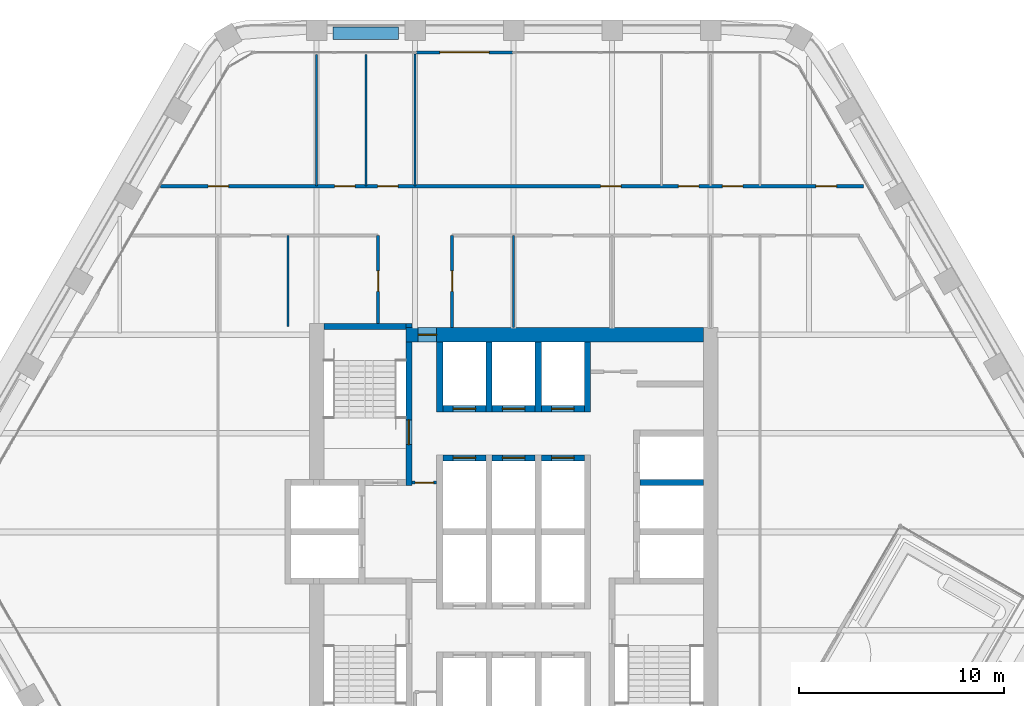
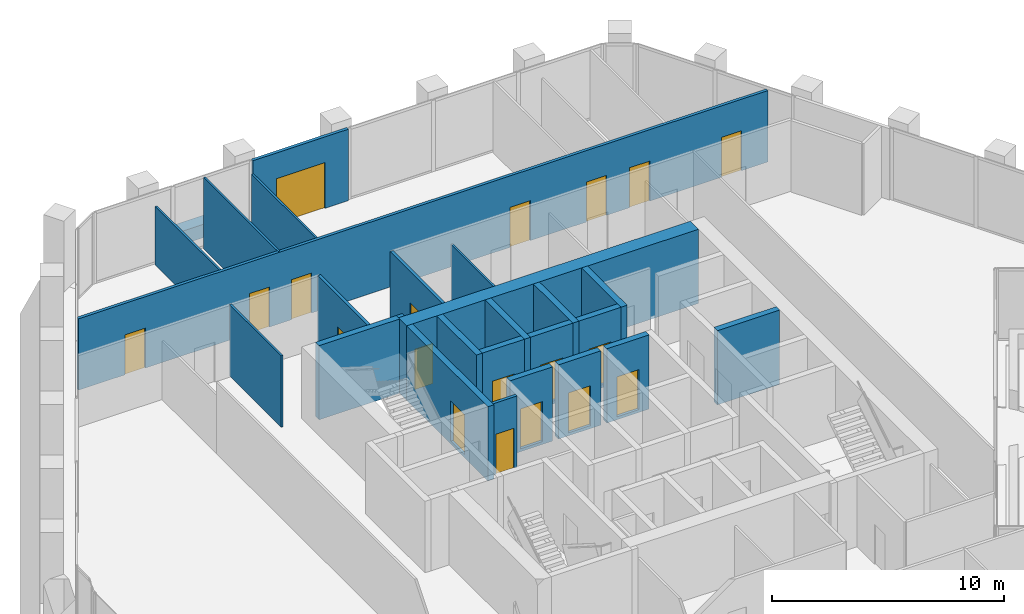
# One storey, part 13 of 17: 26 walls, 19 doors, 19 openings.
"""IFC4 building model written with IfcOpenShell, lengths in metres."""

import ifcopenshell
import ifcopenshell.guid

model = None  # the IFC model being written
_history = None  # IfcOwnerHistory: only IFC2X3 demands one
_inside = {}  # id of a spatial element -> (the spatial element, [elements in it])
_under = {}  # id of a project, library or spatial element -> (it, [spatial elements below it])
_declared = {}  # id of a project -> (the project, [libraries it declares])
_typed = {}  # id of a type object -> (the type object, [elements of that type])
_made_of = {}  # id of a material, layer set ... -> (it, [elements and type objects made of it])


def new_model(schema):
    """Start an empty IFC model of exactly this schema.

    Asked for "IFC4X3", IfcOpenShell would pick the latest addendum, in which some entities
    have other attributes; the version numbers below select the first issue.
    IFC2X3 requires an IfcOwnerHistory on every rooted entity: one is made here for all.
    """
    global model, _history
    if schema == "IFC4X3":
        model = ifcopenshell.file(schema_version=(4, 3, 0, 0))
    else:
        model = ifcopenshell.file(schema=schema)
    _inside.clear()
    _under.clear()
    _declared.clear()
    _typed.clear()
    _made_of.clear()
    _history = None
    if model.schema == "IFC2X3":
        org = make("IfcOrganization", Name="unknown")
        user = make(
            "IfcPersonAndOrganization",
            ThePerson=make("IfcPerson", FamilyName="unknown"),
            TheOrganization=org,
        )
        app = make(
            "IfcApplication",
            ApplicationDeveloper=org,
            Version="unknown",
            ApplicationFullName="unknown",
            ApplicationIdentifier="unknown",
        )
        _history = make(
            "IfcOwnerHistory",
            OwningUser=user,
            OwningApplication=app,
            ChangeAction="ADDED",
            CreationDate=0,
        )
    return model


def make(cls, **values):
    """One entity of the class cls with the attributes given. An attribute that is None is left unset."""
    return model.create_entity(
        cls, **{name: value for name, value in values.items() if value is not None}
    )


def rooted(cls, **values):
    """An entity with a GlobalId (a new one), such as an element, a storey or a relation."""
    return make(cls, GlobalId=ifcopenshell.guid.new(), OwnerHistory=_history, **values)


def si_unit(unit_type, name, prefix=None):
    """IfcSIUnit, for example si_unit("LENGTHUNIT", "METRE", prefix="MILLI")."""
    return make("IfcSIUnit", UnitType=unit_type, Prefix=prefix, Name=name)


def assignment(units):
    """IfcUnitAssignment: the units of a project."""
    return None if units is None else make("IfcUnitAssignment", Units=units)


def point(xyz):
    """IfcCartesianPoint."""
    return None if xyz is None else make("IfcCartesianPoint", Coordinates=xyz)


def direction(xyz):
    """IfcDirection."""
    return None if xyz is None else make("IfcDirection", DirectionRatios=xyz)


def frame(location, z_axis=None, x_axis=None):
    """IfcAxis2Placement3D, a coordinate frame: its origin and axes. An axis left out is left unset."""
    return make(
        "IfcAxis2Placement3D",
        Location=point(location),
        Axis=direction(z_axis),
        RefDirection=direction(x_axis),
    )


def frame_2d(location, x_axis=None):
    """IfcAxis2Placement2D, a coordinate frame in the plane: its origin and x axis."""
    return make(
        "IfcAxis2Placement2D", Location=point(location), RefDirection=direction(x_axis)
    )


def origin():
    """The frame at (0, 0, 0) with its axes left unset."""
    return frame((0.0, 0.0, 0.0))


def place(relative_to, where):
    """IfcLocalPlacement: puts the frame where relative to a parent placement (None: the world)."""
    return make(
        "IfcLocalPlacement", PlacementRelTo=relative_to, RelativePlacement=where
    )


def context(
    kind, dimensions, precision=None, world=None, true_north=None, identifier=None
):
    """IfcGeometricRepresentationContext, for example the 3D "Model" context."""
    return make(
        "IfcGeometricRepresentationContext",
        ContextIdentifier=identifier,
        ContextType=kind,
        CoordinateSpaceDimension=dimensions,
        Precision=precision,
        WorldCoordinateSystem=world,
        TrueNorth=true_north,
    )


def subcontext(parent, identifier, kind, view, scale=None):
    """IfcGeometricRepresentationSubContext, for example "Body" below "Model"."""
    return make(
        "IfcGeometricRepresentationSubContext",
        ContextIdentifier=identifier,
        ContextType=kind,
        ParentContext=parent,
        TargetScale=scale,
        TargetView=view,
    )


def project(units=None, contexts=None):
    """IfcProject with its units and contexts."""
    return rooted(
        "IfcProject",
        Name="project",
        RepresentationContexts=contexts,
        UnitsInContext=assignment(units),
    )


def spatial(cls, under=None, at=None, **own):
    """A site, building, storey or space (cls), placed at a placement, below another one or the project."""
    s = rooted(cls, ObjectPlacement=at, **own)
    if under is not None:
        _under.setdefault(under.id(), (under, []))[1].append(s)
    return s


def profile(cls, at=None, kind="AREA", **sizes):
    """A parametric profile (cls). Its sizes go by their IFC names, for example OverallWidth=200.0."""
    return make(cls, ProfileType=kind, Position=at, **sizes)


def rectangle(**sizes):
    """IfcRectangleProfileDef."""
    return profile("IfcRectangleProfileDef", **sizes)


def extrude(swept, where, along, depth):
    """IfcExtrudedAreaSolid: the profile swept, set in the frame where, extruded along a direction by depth."""
    return make(
        "IfcExtrudedAreaSolid",
        SweptArea=swept,
        Position=where,
        ExtrudedDirection=direction(along),
        Depth=depth,
    )


def shape(context_of_items, identifier, shape_type, items):
    """IfcShapeRepresentation: the items that make up one representation, for example the "Body"."""
    return make(
        "IfcShapeRepresentation",
        ContextOfItems=context_of_items,
        RepresentationIdentifier=identifier,
        RepresentationType=shape_type,
        Items=items,
    )


def material(Name=None, Category=None):
    """IfcMaterial."""
    return make("IfcMaterial", Name=Name, Category=Category)


def layer(
    of_material, thickness, ventilated=None, Name=None, Category=None, Priority=None
):
    """IfcMaterialLayer: one layer of a wall or slab, of a material (None: an air gap)."""
    return make(
        "IfcMaterialLayer",
        Material=of_material,
        LayerThickness=thickness,
        IsVentilated=ventilated,
        Name=Name,
        Category=Category,
        Priority=Priority,
    )


def layer_set(layers, Name=None):
    """IfcMaterialLayerSet."""
    return make("IfcMaterialLayerSet", MaterialLayers=layers, LayerSetName=Name)


def made_of(thing, what):
    """Note that an element or type object is made of a material, layer set ...; save() writes the relation."""
    if what is not None:
        _made_of.setdefault(what.id(), (what, []))[1].append(thing)
    return thing


def type_object(cls, material=None, **own):
    """A type object (cls), such as IfcWallType, which elements share."""
    return made_of(rooted(cls, **own), material)


def element(
    cls,
    number,
    at=None,
    inside=None,
    cuts=None,
    type_object=None,
    material=None,
    context=None,
    identifier="Body",
    shape_type=None,
    held_by="IfcProductDefinitionShape",
    body=None,
    shapes=None,
    **own,
):
    """One element of the class cls, such as IfcWall. Its Tag is "e" and its number.

    at: its placement. inside: the storey or other place that contains it. cuts: it is an
    opening in that element (IfcRelVoidsElement). A single representation is given by context,
    identifier, shape_type and body (its items); several are given by shapes. held_by: the class
    of the entity that holds the representations. save() writes the other relations.
    """
    e = rooted(cls, Tag="e%d" % number, ObjectPlacement=at, **own)
    if body is not None:
        shapes = [shape(context, identifier, shape_type, body)]
    if shapes is not None:
        e.Representation = make(held_by, Representations=shapes)
    if inside is not None:
        _inside.setdefault(inside.id(), (inside, []))[1].append(e)
    if cuts is not None:
        rooted(
            "IfcRelVoidsElement", RelatingBuildingElement=cuts, RelatedOpeningElement=e
        )
    if type_object is not None:
        _typed.setdefault(type_object.id(), (type_object, []))[1].append(e)
    return made_of(e, material)


def fill(opening, filler):
    """IfcRelFillsElement: the door or window that sits in an opening."""
    return rooted(
        "IfcRelFillsElement",
        RelatingOpeningElement=opening,
        RelatedBuildingElement=filler,
    )


def aggregate(whole, parts):
    """IfcRelAggregates: a whole, such as a stair, and the parts it consists of."""
    return rooted("IfcRelAggregates", RelatingObject=whole, RelatedObjects=parts)


def save(model, path):
    """Write the relations noted so far, then the file.

    IfcRelAggregates (storeys below a building ...), IfcRelContainedInSpatialStructure (elements
    in a storey), IfcRelDefinesByType, IfcRelAssociatesMaterial and IfcRelDeclares: one each for
    every whole, place, type object, material and project.
    """
    for whole, parts in _under.values():
        aggregate(whole, parts)
    for where, things in _inside.values():
        rooted(
            "IfcRelContainedInSpatialStructure",
            RelatedElements=things,
            RelatingStructure=where,
        )
    for kind, things in _typed.values():
        rooted("IfcRelDefinesByType", RelatedObjects=things, RelatingType=kind)
    for what, things in _made_of.values():
        rooted("IfcRelAssociatesMaterial", RelatedObjects=things, RelatingMaterial=what)
    for by, libraries in _declared.values():
        rooted("IfcRelDeclares", RelatingContext=by, RelatedDefinitions=libraries)
    model.write(path)


model = new_model("IFC4")

# Units and contexts
model_context = context("Model", 3, precision=1e-05, world=origin(), true_north=direction((0.0, 1.0)))
body_context = subcontext(model_context, "Body", "Model", "MODEL_VIEW")
ifc_project = project(units=[si_unit("LENGTHUNIT", "METRE"), si_unit("AREAUNIT", "SQUARE_METRE"), si_unit("VOLUMEUNIT", "CUBIC_METRE"), si_unit("PLANEANGLEUNIT", "RADIAN"), si_unit("MASSUNIT", "GRAM", prefix="KILO")], contexts=[model_context])

# Site, building, storey
site_placement = place(None, origin())
site = spatial("IfcSite", under=ifc_project, at=site_placement, CompositionType="ELEMENT")
building_placement = place(site_placement, origin())
building = spatial("IfcBuilding", under=site, at=building_placement, Name="Kolab Exchange Tower", CompositionType="ELEMENT")
storey_placement = place(building_placement, frame((0.0, 0.0, 197.300048828125)))
storey = spatial("IfcBuildingStorey", under=building, at=storey_placement, Name="L42", CompositionType="ELEMENT", Elevation=197.300048828125)

# Wall, opening, door
ifc_material_1 = material(Name="Concrete C60/75", Category="concrete")
ifc_layer_1 = layer(ifc_material_1, 0.699951171875)
ifc_layer_set_1 = layer_set([ifc_layer_1], Name="Concrete C60/75")
wall_type_1 = type_object("IfcWallType", Name="CORE WALL 700 C60/75", PredefinedType="SHEAR", material=ifc_layer_set_1)
wall_1_placement = place(storey_placement, frame((-5.25, 9.60009765625, -0.150146484375), z_axis=(0.0, 0.0, 1.0), x_axis=(1.0, 0.0, 0.0)))
wall_1 = element("IfcWall", 1, at=wall_1_placement, inside=storey, type_object=wall_type_1, Name="wall/L42/core/031", PredefinedType="SHEAR", context=body_context, shape_type="SweptSolid", body=[
    extrude(rectangle(XDim=14.5, YDim=0.699951171875, at=frame_2d((7.25, 0.0))), origin(), (0.0, 0.0, 1.0), 3.900146484375),
])
opening_1_placement = place(wall_1_placement, frame((0.60009765625, 0.0, 0.14990234375)))
opening_1 = element("IfcOpeningElement", 2, at=opening_1_placement, cuts=wall_1, Name="Opening D6-289", PredefinedType="OPENING", context=body_context, shape_type="SweptSolid", body=[
    extrude(rectangle(XDim=0.89990234375, YDim=2.10009765625, at=frame_2d((0.449951171875, 1.050048828125))), frame((0.0, 0.35986328125, 0.0), z_axis=(0.0, -1.0, 0.0), x_axis=(1.0, 0.0, 0.0)), (0.0, 0.0, 1.0), 0.719970703125),
])
ifc_material_2 = material(Name="Steel S235", Category="steel")
door_type_1 = type_object("IfcDoorType", Name="CORE DOOR 900 EI 120", OperationType="SINGLE_SWING_LEFT", PredefinedType="DOOR", material=ifc_material_2)
door_1_placement = place(opening_1_placement, frame((0.89990234375, 0.0, 0.0), z_axis=(0.0, 0.0, 1.0), x_axis=(-1.0, 0.0, 0.0)))
door_1 = element("IfcDoor", 3, at=door_1_placement, inside=storey, type_object=door_type_1, Name="Core lobby door", OperationType="SINGLE_SWING_RIGHT", OverallHeight=2.10009765625, OverallWidth=0.89990234375, PredefinedType="DOOR", context=body_context, shape_type="SweptSolid", body=[
    extrude(rectangle(XDim=0.89990234375, YDim=2.10009765625, at=frame_2d((0.449951171875, 1.050048828125))), frame((0.0, 0.02490234375, 0.0), z_axis=(0.0, -1.0, 0.0), x_axis=(1.0, 0.0, 0.0)), (0.0, 0.0, 1.0), 0.050048828125),
])
fill(opening_1, door_1)

ifc_material_3 = material(Name="Aluminium EN AW-6063 T6", Category="aluminium")
ifc_layer_2 = layer(ifc_material_3, 0.159912109375)
ifc_layer_set_2 = layer_set([ifc_layer_2], Name="Aluminium EN AW-6063 T6")
wall_type_2 = type_object("IfcWallType", Name="DOOR SURROUND WALL 160 ALUMINIUM FRAMED", PredefinedType="PARTITIONING", material=ifc_layer_set_2)
wall_2_placement = place(storey_placement, frame((-4.77001953125, 23.361572265625, 0.0), z_axis=(0.0, 0.0, 1.0), x_axis=(1.0, 0.0, 0.0)))
wall_2 = element("IfcWall", 4, at=wall_2_placement, inside=storey, type_object=wall_type_2, Name="Door surround wall", PredefinedType="PARTITIONING", context=body_context, shape_type="SweptSolid", body=[
    extrude(rectangle(XDim=4.739990234375, YDim=0.159912109375, at=frame_2d((2.3701171875, 0.0))), origin(), (0.0, 0.0, 1.0), 3.75),
])
opening_2_placement = place(wall_2_placement, frame((1.169921875, 0.0, 0.0)))
opening_2 = element("IfcOpeningElement", 5, at=opening_2_placement, cuts=wall_2, Name="Opening GD1-064", PredefinedType="OPENING", context=body_context, shape_type="SweptSolid", body=[
    extrude(rectangle(XDim=2.39990234375, YDim=2.39990234375, at=frame_2d((1.199951171875, 1.199951171875))), frame((0.0, 0.08984375, 0.0), z_axis=(0.0, -1.0, 0.0), x_axis=(1.0, 0.0, 0.0)), (0.0, 0.0, 1.0), 0.179931640625),
])
door_type_2 = type_object("IfcDoorType", Name="LOGGIA SLIDING GLASS DOOR 2400 X 2400", OperationType="DOUBLE_DOOR_SINGLE_SWING", PredefinedType="DOOR", material=ifc_material_3)
door_2_placement = place(opening_2_placement, origin())
door_2 = element("IfcDoor", 6, at=door_2_placement, inside=storey, type_object=door_type_2, Name="Loggia door", OperationType="DOUBLE_DOOR_SLIDING", OverallHeight=2.39990234375, OverallWidth=2.39990234375, PredefinedType="DOOR", context=body_context, shape_type="SweptSolid", body=[
    extrude(rectangle(XDim=2.39990234375, YDim=2.39990234375, at=frame_2d((1.199951171875, 1.199951171875))), frame((0.0, 0.02490234375, 0.0), z_axis=(0.0, -1.0, 0.0), x_axis=(1.0, 0.0, 0.0)), (0.0, 0.0, 1.0), 0.050048828125),
])
fill(opening_2, door_2)

# Wall
ifc_material_4 = material(Name="Concrete C50/60", Category="concrete")
ifc_layer_3 = layer(ifc_material_4, 0.300048828125)
ifc_layer_set_3 = layer_set([ifc_layer_3], Name="Concrete C50/60")
wall_type_3 = type_object("IfcWallType", Name="LIFT SHAFT WALL 300 C50/60", PredefinedType="STANDARD", material=ifc_layer_set_3)
wall_3_placement = place(storey_placement, frame((6.14990234375, 2.39990234375, -0.150146484375), z_axis=(0.0, 0.0, 1.0), x_axis=(1.0, 0.0, 0.0)))
element("IfcWall", 7, at=wall_3_placement, inside=storey, type_object=wall_type_3, Name="wall/L42/core/022", PredefinedType="STANDARD", context=body_context, shape_type="SweptSolid", body=[
    extrude(rectangle(XDim=3.10009765625, YDim=0.300048828125, at=frame_2d((1.550048828125, 0.0))), origin(), (0.0, 0.0, 1.0), 3.900146484375),
])

# Wall, opening, door
wall_4_placement = place(storey_placement, frame((-3.449951171875, 3.60009765625, -0.150146484375), z_axis=(0.0, 0.0, 1.0), x_axis=(1.0, 0.0, 0.0)))
wall_4 = element("IfcWall", 8, at=wall_4_placement, inside=storey, type_object=wall_type_3, Name="wall/L42/core/023", PredefinedType="STANDARD", context=body_context, shape_type="SweptSolid", body=[
    extrude(rectangle(XDim=2.099853515625, YDim=0.300048828125, at=frame_2d((1.0498046875, 0.0))), origin(), (0.0, 0.0, 1.0), 3.900146484375),
])
opening_3_placement = place(wall_4_placement, frame((0.5, 0.0, 0.14990234375)))
opening_3 = element("IfcOpeningElement", 9, at=opening_3_placement, cuts=wall_4, Name="Opening LD1-115", PredefinedType="OPENING", context=body_context, shape_type="SweptSolid", body=[
    extrude(rectangle(XDim=1.10009765625, YDim=2.10009765625, at=frame_2d((0.550048828125, 1.050048828125))), frame((0.0, 0.16015625, 0.0), z_axis=(0.0, -1.0, 0.0), x_axis=(1.0, 0.0, 0.0)), (0.0, 0.0, 1.0), 0.320068359375),
])
ifc_material_5 = material(Name="Stainless steel 316", Category="steel")
door_type_3 = type_object("IfcDoorType", Name="LANDING DOOR 1100 PASSENGER", OperationType="DOUBLE_DOOR_SLIDING", PredefinedType="DOOR", material=ifc_material_5)
door_3_placement = place(opening_3_placement, origin())
door_3 = element("IfcDoor", 10, at=door_3_placement, inside=storey, type_object=door_type_3, Name="Landing door HR4", OperationType="DOUBLE_DOOR_SLIDING", OverallHeight=2.10009765625, OverallWidth=1.10009765625, PredefinedType="DOOR", context=body_context, shape_type="SweptSolid", body=[
    extrude(rectangle(XDim=1.10009765625, YDim=2.10009765625, at=frame_2d((0.550048828125, 1.050048828125))), frame((0.0, 0.02490234375, 0.0), z_axis=(0.0, -1.0, 0.0), x_axis=(1.0, 0.0, 0.0)), (0.0, 0.0, 1.0), 0.050048828125),
])
fill(opening_3, door_3)

wall_5_placement = place(storey_placement, frame((-1.050048828125, 3.60009765625, -0.150146484375), z_axis=(0.0, 0.0, 1.0), x_axis=(1.0, 0.0, 0.0)))
wall_5 = element("IfcWall", 11, at=wall_5_placement, inside=storey, type_object=wall_type_3, Name="wall/L42/core/024", PredefinedType="STANDARD", context=body_context, shape_type="SweptSolid", body=[
    extrude(rectangle(XDim=2.10009765625, YDim=0.300048828125, at=frame_2d((1.050048828125, 0.0))), origin(), (0.0, 0.0, 1.0), 3.900146484375),
])
opening_4_placement = place(wall_5_placement, frame((0.5, 0.0, 0.14990234375)))
opening_4 = element("IfcOpeningElement", 12, at=opening_4_placement, cuts=wall_5, Name="Opening LD1-116", PredefinedType="OPENING", context=body_context, shape_type="SweptSolid", body=[
    extrude(rectangle(XDim=1.10009765625, YDim=2.10009765625, at=frame_2d((0.550048828125, 1.050048828125))), frame((0.0, 0.16015625, 0.0), z_axis=(0.0, -1.0, 0.0), x_axis=(1.0, 0.0, 0.0)), (0.0, 0.0, 1.0), 0.320068359375),
])
door_4_placement = place(opening_4_placement, origin())
door_4 = element("IfcDoor", 13, at=door_4_placement, inside=storey, type_object=door_type_3, Name="Landing door HR5", OperationType="DOUBLE_DOOR_SLIDING", OverallHeight=2.10009765625, OverallWidth=1.10009765625, PredefinedType="DOOR", context=body_context, shape_type="SweptSolid", body=[
    extrude(rectangle(XDim=1.10009765625, YDim=2.10009765625, at=frame_2d((0.550048828125, 1.050048828125))), frame((0.0, 0.02490234375, 0.0), z_axis=(0.0, -1.0, 0.0), x_axis=(1.0, 0.0, 0.0)), (0.0, 0.0, 1.0), 0.050048828125),
])
fill(opening_4, door_4)

wall_6_placement = place(storey_placement, frame((1.35009765625, 3.60009765625, -0.150146484375), z_axis=(0.0, 0.0, 1.0), x_axis=(1.0, 0.0, 0.0)))
wall_6 = element("IfcWall", 14, at=wall_6_placement, inside=storey, type_object=wall_type_3, Name="wall/L42/core/025", PredefinedType="STANDARD", context=body_context, shape_type="SweptSolid", body=[
    extrude(rectangle(XDim=2.099853515625, YDim=0.300048828125, at=frame_2d((1.0498046875, 0.0))), origin(), (0.0, 0.0, 1.0), 3.900146484375),
])
opening_5_placement = place(wall_6_placement, frame((0.5, 0.0, 0.14990234375)))
opening_5 = element("IfcOpeningElement", 15, at=opening_5_placement, cuts=wall_6, Name="Opening LD1-117", PredefinedType="OPENING", context=body_context, shape_type="SweptSolid", body=[
    extrude(rectangle(XDim=1.10009765625, YDim=2.10009765625, at=frame_2d((0.550048828125, 1.050048828125))), frame((0.0, 0.16015625, 0.0), z_axis=(0.0, -1.0, 0.0), x_axis=(1.0, 0.0, 0.0)), (0.0, 0.0, 1.0), 0.320068359375),
])
door_5_placement = place(opening_5_placement, origin())
door_5 = element("IfcDoor", 16, at=door_5_placement, inside=storey, type_object=door_type_3, Name="Landing door HR6", OperationType="DOUBLE_DOOR_SLIDING", OverallHeight=2.10009765625, OverallWidth=1.10009765625, PredefinedType="DOOR", context=body_context, shape_type="SweptSolid", body=[
    extrude(rectangle(XDim=1.10009765625, YDim=2.10009765625, at=frame_2d((0.550048828125, 1.050048828125))), frame((0.0, 0.02490234375, 0.0), z_axis=(0.0, -1.0, 0.0), x_axis=(1.0, 0.0, 0.0)), (0.0, 0.0, 1.0), 0.050048828125),
])
fill(opening_5, door_5)

wall_7_placement = place(storey_placement, frame((-3.449951171875, 6.0, -0.150146484375), z_axis=(0.0, 0.0, 1.0), x_axis=(1.0, 0.0, 0.0)))
wall_7 = element("IfcWall", 17, at=wall_7_placement, inside=storey, type_object=wall_type_3, Name="wall/L42/core/027", PredefinedType="STANDARD", context=body_context, shape_type="SweptSolid", body=[
    extrude(rectangle(XDim=2.099853515625, YDim=0.300048828125, at=frame_2d((1.0498046875, 0.0))), origin(), (0.0, 0.0, 1.0), 3.900146484375),
])
opening_6_placement = place(wall_7_placement, frame((0.5, 0.0, 0.14990234375)))
opening_6 = element("IfcOpeningElement", 18, at=opening_6_placement, cuts=wall_7, Name="Opening LD1-109", PredefinedType="OPENING", context=body_context, shape_type="SweptSolid", body=[
    extrude(rectangle(XDim=1.10009765625, YDim=2.10009765625, at=frame_2d((0.550048828125, 1.050048828125))), frame((0.0, 0.16015625, 0.0), z_axis=(0.0, -1.0, 0.0), x_axis=(1.0, 0.0, 0.0)), (0.0, 0.0, 1.0), 0.320068359375),
])
door_6_placement = place(opening_6_placement, origin())
door_6 = element("IfcDoor", 19, at=door_6_placement, inside=storey, type_object=door_type_3, Name="Landing door HR1", OperationType="DOUBLE_DOOR_SLIDING", OverallHeight=2.10009765625, OverallWidth=1.10009765625, PredefinedType="DOOR", context=body_context, shape_type="SweptSolid", body=[
    extrude(rectangle(XDim=1.10009765625, YDim=2.10009765625, at=frame_2d((0.550048828125, 1.050048828125))), frame((0.0, 0.02490234375, 0.0), z_axis=(0.0, -1.0, 0.0), x_axis=(1.0, 0.0, 0.0)), (0.0, 0.0, 1.0), 0.050048828125),
])
fill(opening_6, door_6)

wall_8_placement = place(storey_placement, frame((-1.050048828125, 6.0, -0.150146484375), z_axis=(0.0, 0.0, 1.0), x_axis=(1.0, 0.0, 0.0)))
wall_8 = element("IfcWall", 20, at=wall_8_placement, inside=storey, type_object=wall_type_3, Name="wall/L42/core/028", PredefinedType="STANDARD", context=body_context, shape_type="SweptSolid", body=[
    extrude(rectangle(XDim=2.10009765625, YDim=0.300048828125, at=frame_2d((1.050048828125, 0.0))), origin(), (0.0, 0.0, 1.0), 3.900146484375),
])
opening_7_placement = place(wall_8_placement, frame((0.5, 0.0, 0.14990234375)))
opening_7 = element("IfcOpeningElement", 21, at=opening_7_placement, cuts=wall_8, Name="Opening LD1-113", PredefinedType="OPENING", context=body_context, shape_type="SweptSolid", body=[
    extrude(rectangle(XDim=1.10009765625, YDim=2.10009765625, at=frame_2d((0.550048828125, 1.050048828125))), frame((0.0, 0.16015625, 0.0), z_axis=(0.0, -1.0, 0.0), x_axis=(1.0, 0.0, 0.0)), (0.0, 0.0, 1.0), 0.320068359375),
])
door_7_placement = place(opening_7_placement, origin())
door_7 = element("IfcDoor", 22, at=door_7_placement, inside=storey, type_object=door_type_3, Name="Landing door HR2", OperationType="DOUBLE_DOOR_SLIDING", OverallHeight=2.10009765625, OverallWidth=1.10009765625, PredefinedType="DOOR", context=body_context, shape_type="SweptSolid", body=[
    extrude(rectangle(XDim=1.10009765625, YDim=2.10009765625, at=frame_2d((0.550048828125, 1.050048828125))), frame((0.0, 0.02490234375, 0.0), z_axis=(0.0, -1.0, 0.0), x_axis=(1.0, 0.0, 0.0)), (0.0, 0.0, 1.0), 0.050048828125),
])
fill(opening_7, door_7)

wall_9_placement = place(storey_placement, frame((1.35009765625, 6.0, -0.150146484375), z_axis=(0.0, 0.0, 1.0), x_axis=(1.0, 0.0, 0.0)))
wall_9 = element("IfcWall", 23, at=wall_9_placement, inside=storey, type_object=wall_type_3, Name="wall/L42/core/029", PredefinedType="STANDARD", context=body_context, shape_type="SweptSolid", body=[
    extrude(rectangle(XDim=2.099853515625, YDim=0.300048828125, at=frame_2d((1.0498046875, 0.0))), origin(), (0.0, 0.0, 1.0), 3.900146484375),
])
opening_8_placement = place(wall_9_placement, frame((0.5, 0.0, 0.14990234375)))
opening_8 = element("IfcOpeningElement", 24, at=opening_8_placement, cuts=wall_9, Name="Opening LD1-114", PredefinedType="OPENING", context=body_context, shape_type="SweptSolid", body=[
    extrude(rectangle(XDim=1.10009765625, YDim=2.10009765625, at=frame_2d((0.550048828125, 1.050048828125))), frame((0.0, 0.16015625, 0.0), z_axis=(0.0, -1.0, 0.0), x_axis=(1.0, 0.0, 0.0)), (0.0, 0.0, 1.0), 0.320068359375),
])
door_8_placement = place(opening_8_placement, origin())
door_8 = element("IfcDoor", 25, at=door_8_placement, inside=storey, type_object=door_type_3, Name="Landing door HR3", OperationType="DOUBLE_DOOR_SLIDING", OverallHeight=2.10009765625, OverallWidth=1.10009765625, PredefinedType="DOOR", context=body_context, shape_type="SweptSolid", body=[
    extrude(rectangle(XDim=1.10009765625, YDim=2.10009765625, at=frame_2d((0.550048828125, 1.050048828125))), frame((0.0, 0.02490234375, 0.0), z_axis=(0.0, -1.0, 0.0), x_axis=(1.0, 0.0, 0.0)), (0.0, 0.0, 1.0), 0.050048828125),
])
fill(opening_8, door_8)

# Walls
for number, where, z_axis, x_axis, name in (
    (26, (-3.60009765625, 5.85009765625, -0.150146484375), (0.0, 0.0, 1.0), (0.0, 1.0, 0.0), "wall/L42/core/045"),
    (27, (-1.199951171875, 5.85009765625, -0.150146484375), (0.0, 0.0, 1.0), (0.0, 1.0, 0.0), "wall/L42/core/048"),
    (28, (1.199951171875, 5.85009765625, -0.150146484375), (0.0, 0.0, 1.0), (0.0, 1.0, 0.0), "wall/L42/core/051"),
    (29, (3.60009765625, 5.85009765625, -0.150146484375), (0.0, 0.0, 1.0), (0.0, 1.0, 0.0), "wall/L42/core/054"),
):
    element("IfcWall", number, at=place(storey_placement, frame(where, z_axis=z_axis, x_axis=x_axis)), inside=storey, type_object=wall_type_3, Name=name, PredefinedType="STANDARD", context=body_context, shape_type="SweptSolid", body=[
        extrude(rectangle(XDim=3.39990234375, YDim=0.300048828125, at=frame_2d((1.699951171875, 0.0))), origin(), (0.0, 0.0, 1.0), 3.900146484375),
    ])
ifc_material_6 = material(Name="Gypsum board", Category="gypsum")
ifc_layer_4 = layer(ifc_material_6, 0.10009765625)
ifc_layer_set_4 = layer_set([ifc_layer_4], Name="Gypsum board")
wall_type_4 = type_object("IfcWallType", Name="PARTITION 100", PredefinedType="PARTITIONING", material=ifc_layer_set_4)
wall_10_placement = place(storey_placement, frame((0.0, 9.949951171875, 0.0), z_axis=(0.0, 0.0, 1.0), x_axis=(0.0, 1.0, 0.0)))
element("IfcWall", 30, at=wall_10_placement, inside=storey, type_object=wall_type_4, Name="Partition 012", PredefinedType="PARTITIONING", context=body_context, shape_type="SweptSolid", body=[
    extrude(rectangle(XDim=4.491455078125, YDim=0.10009765625, at=frame_2d((2.24560546875, 0.0))), origin(), (0.0, 0.0, 1.0), 3.06591796875),
])
wall_11_placement = place(storey_placement, frame((-4.800048828125, 16.841552734375, 0.0), z_axis=(0.0, 0.0, 1.0), x_axis=(0.0, 1.0, 0.0)))
element("IfcWall", 31, at=wall_11_placement, inside=storey, type_object=wall_type_4, Name="Partition 016", PredefinedType="PARTITIONING", context=body_context, shape_type="SweptSolid", body=[
    extrude(rectangle(XDim=6.43994140625, YDim=0.10009765625, at=frame_2d((3.219970703125, 0.0))), origin(), (0.0, 0.0, 1.0), 3.06591796875),
])
wall_12_placement = place(storey_placement, frame((-7.199951171875, 16.841552734375, 0.0), z_axis=(0.0, 0.0, 1.0), x_axis=(0.0, 1.0, 0.0)))
element("IfcWall", 32, at=wall_12_placement, inside=storey, type_object=wall_type_4, Name="Partition 020", PredefinedType="PARTITIONING", context=body_context, shape_type="SweptSolid", body=[
    extrude(rectangle(XDim=6.429931640625, YDim=0.10009765625, at=frame_2d((3.21484375, 0.0))), origin(), (0.0, 0.0, 1.0), 3.75),
])
wall_13_placement = place(storey_placement, frame((-9.60009765625, 16.841552734375, 0.0), z_axis=(0.0, 0.0, 1.0), x_axis=(0.0, 1.0, 0.0)))
element("IfcWall", 33, at=wall_13_placement, inside=storey, type_object=wall_type_4, Name="Partition 021", PredefinedType="PARTITIONING", context=body_context, shape_type="SweptSolid", body=[
    extrude(rectangle(XDim=6.429931640625, YDim=0.10009765625, at=frame_2d((3.21484375, 0.0))), origin(), (0.0, 0.0, 1.0), 3.06591796875),
])
wall_14_placement = place(storey_placement, frame((-11.0, 10.0, 0.0), z_axis=(0.0, 0.0, 1.0), x_axis=(0.0, 1.0, 0.0)))
element("IfcWall", 34, at=wall_14_placement, inside=storey, type_object=wall_type_4, Name="Partition 023", PredefinedType="PARTITIONING", context=body_context, shape_type="SweptSolid", body=[
    extrude(rectangle(XDim=4.44140625, YDim=0.10009765625, at=frame_2d((2.220703125, 0.0))), origin(), (0.0, 0.0, 1.0), 3.75),
])

# Wall, opening, door
ifc_layer_5 = layer(ifc_material_6, 0.14990234375)
ifc_layer_set_5 = layer_set([ifc_layer_5], Name="Gypsum board")
wall_type_5 = type_object("IfcWallType", Name="PARTITION 150 FIRE-RATED", PredefinedType="PARTITIONING", material=ifc_layer_set_5)
wall_15_placement = place(storey_placement, frame((-3.0, 9.949951171875, 0.0), z_axis=(0.0, 0.0, 1.0), x_axis=(0.0, 1.0, 0.0)))
wall_15 = element("IfcWall", 35, at=wall_15_placement, inside=storey, type_object=wall_type_5, Name="Partition 013", PredefinedType="PARTITIONING", context=body_context, shape_type="SweptSolid", body=[
    extrude(rectangle(XDim=4.491455078125, YDim=0.14990234375, at=frame_2d((2.24560546875, 0.0))), origin(), (0.0, 0.0, 1.0), 3.75),
])
opening_9_placement = place(wall_15_placement, frame((1.770751953125, 0.0, 0.0)))
opening_9 = element("IfcOpeningElement", 36, at=opening_9_placement, cuts=wall_15, Name="Opening D1-549", PredefinedType="OPENING", context=body_context, shape_type="SweptSolid", body=[
    extrude(rectangle(XDim=1.0, YDim=2.10009765625, at=frame_2d((0.5, 1.050048828125))), frame((0.0, 0.0849609375, 0.0), z_axis=(0.0, -1.0, 0.0), x_axis=(1.0, 0.0, 0.0)), (0.0, 0.0, 1.0), 0.169921875),
])
door_type_4 = type_object("IfcDoorType", Name="FLUSH DOOR 1000 FD60", OperationType="SINGLE_SWING_LEFT", PredefinedType="DOOR", material=ifc_material_2)
door_9_placement = place(opening_9_placement, frame((1.0, 0.0, 0.0), z_axis=(0.0, 0.0, 1.0), x_axis=(-1.0, 0.0, 0.0)))
door_9 = element("IfcDoor", 37, at=door_9_placement, inside=storey, type_object=door_type_4, Name="Door L42-031", OperationType="SINGLE_SWING_RIGHT", OverallHeight=2.10009765625, OverallWidth=1.0, PredefinedType="DOOR", context=body_context, shape_type="SweptSolid", body=[
    extrude(rectangle(XDim=1.0, YDim=2.10009765625, at=frame_2d((0.5, 1.050048828125))), frame((0.0, 0.02490234375, 0.0), z_axis=(0.0, -1.0, 0.0), x_axis=(1.0, 0.0, 0.0)), (0.0, 0.0, 1.0), 0.050048828125),
])
fill(opening_9, door_9)

wall_16_placement = place(storey_placement, frame((-6.60009765625, 10.14990234375, 0.0), z_axis=(0.0, 0.0, 1.0), x_axis=(0.0, 1.0, 0.0)))
wall_16 = element("IfcWall", 38, at=wall_16_placement, inside=storey, type_object=wall_type_5, Name="Partition 018", PredefinedType="PARTITIONING", context=body_context, shape_type="SweptSolid", body=[
    extrude(rectangle(XDim=4.29150390625, YDim=0.14990234375, at=frame_2d((2.145751953125, 0.0))), origin(), (0.0, 0.0, 1.0), 3.75),
])
opening_10_placement = place(wall_16_placement, frame((1.57080078125, 0.0, 0.0)))
opening_10 = element("IfcOpeningElement", 39, at=opening_10_placement, cuts=wall_16, Name="Opening D1-552", PredefinedType="OPENING", context=body_context, shape_type="SweptSolid", body=[
    extrude(rectangle(XDim=1.0, YDim=2.10009765625, at=frame_2d((0.5, 1.050048828125))), frame((0.0, 0.0849609375, 0.0), z_axis=(0.0, -1.0, 0.0), x_axis=(1.0, 0.0, 0.0)), (0.0, 0.0, 1.0), 0.169921875),
])
door_10_placement = place(opening_10_placement, origin())
door_10 = element("IfcDoor", 40, at=door_10_placement, inside=storey, type_object=door_type_4, Name="Door L42-034", OperationType="SINGLE_SWING_RIGHT", OverallHeight=2.10009765625, OverallWidth=1.0, PredefinedType="DOOR", context=body_context, shape_type="SweptSolid", body=[
    extrude(rectangle(XDim=1.0, YDim=2.10009765625, at=frame_2d((0.5, 1.050048828125))), frame((0.0, 0.02490234375, 0.0), z_axis=(0.0, -1.0, 0.0), x_axis=(1.0, 0.0, 0.0)), (0.0, 0.0, 1.0), 0.050048828125),
])
fill(opening_10, door_10)

# Wall, openings, doors
wall_17_placement = place(storey_placement, frame((-17.205810546875, 16.841552734375, 0.0), z_axis=(0.0, 0.0, 1.0), x_axis=(1.0, 0.0, 0.0)))
wall_17 = element("IfcWall", 41, at=wall_17_placement, inside=storey, type_object=wall_type_5, Name="Partition 037", PredefinedType="PARTITIONING", context=body_context, shape_type="SweptSolid", body=[
    extrude(rectangle(XDim=34.251708984375, YDim=0.14990234375, at=frame_2d((17.1259765625, 0.0))), origin(), (0.0, 0.0, 1.0), 3.75),
])
opening_11_placement = place(wall_17_placement, frame((2.31201171875, 0.0, 0.0)))
opening_11 = element("IfcOpeningElement", 42, at=opening_11_placement, cuts=wall_17, Name="Opening D1-554", PredefinedType="OPENING", context=body_context, shape_type="SweptSolid", body=[
    extrude(rectangle(XDim=1.0, YDim=2.10009765625, at=frame_2d((0.5, 1.050048828125))), frame((0.0, 0.0849609375, 0.0), z_axis=(0.0, -1.0, 0.0), x_axis=(1.0, 0.0, 0.0)), (0.0, 0.0, 1.0), 0.169921875),
])
opening_12_placement = place(wall_17_placement, frame((8.48095703125, 0.0, 0.0)))
opening_12 = element("IfcOpeningElement", 43, at=opening_12_placement, cuts=wall_17, Name="Opening D1-555", PredefinedType="OPENING", context=body_context, shape_type="SweptSolid", body=[
    extrude(rectangle(XDim=1.0, YDim=2.10009765625, at=frame_2d((0.5, 1.050048828125))), frame((0.0, 0.0849609375, 0.0), z_axis=(0.0, -1.0, 0.0), x_axis=(1.0, 0.0, 0.0)), (0.0, 0.0, 1.0), 0.169921875),
])
opening_13_placement = place(wall_17_placement, frame((10.580810546875, 0.0, 0.0)))
opening_13 = element("IfcOpeningElement", 44, at=opening_13_placement, cuts=wall_17, Name="Opening D1-556", PredefinedType="OPENING", context=body_context, shape_type="SweptSolid", body=[
    extrude(rectangle(XDim=1.0, YDim=2.10009765625, at=frame_2d((0.5, 1.050048828125))), frame((0.0, 0.0849609375, 0.0), z_axis=(0.0, -1.0, 0.0), x_axis=(1.0, 0.0, 0.0)), (0.0, 0.0, 1.0), 0.169921875),
])
opening_14_placement = place(wall_17_placement, frame((21.44091796875, 0.0, 0.0)))
opening_14 = element("IfcOpeningElement", 45, at=opening_14_placement, cuts=wall_17, Name="Opening D1-557", PredefinedType="OPENING", context=body_context, shape_type="SweptSolid", body=[
    extrude(rectangle(XDim=1.0, YDim=2.10009765625, at=frame_2d((0.5, 1.050048828125))), frame((0.0, 0.0849609375, 0.0), z_axis=(0.0, -1.0, 0.0), x_axis=(1.0, 0.0, 0.0)), (0.0, 0.0, 1.0), 0.169921875),
])
opening_15_placement = place(wall_17_placement, frame((25.23095703125, 0.0, 0.0)))
opening_15 = element("IfcOpeningElement", 46, at=opening_15_placement, cuts=wall_17, Name="Opening D1-558", PredefinedType="OPENING", context=body_context, shape_type="SweptSolid", body=[
    extrude(rectangle(XDim=1.0, YDim=2.10009765625, at=frame_2d((0.5, 1.050048828125))), frame((0.0, 0.0849609375, 0.0), z_axis=(0.0, -1.0, 0.0), x_axis=(1.0, 0.0, 0.0)), (0.0, 0.0, 1.0), 0.169921875),
])
opening_16_placement = place(wall_17_placement, frame((27.380859375, 0.0, 0.0)))
opening_16 = element("IfcOpeningElement", 47, at=opening_16_placement, cuts=wall_17, Name="Opening D1-559", PredefinedType="OPENING", context=body_context, shape_type="SweptSolid", body=[
    extrude(rectangle(XDim=1.0, YDim=2.10009765625, at=frame_2d((0.5, 1.050048828125))), frame((0.0, 0.0849609375, 0.0), z_axis=(0.0, -1.0, 0.0), x_axis=(1.0, 0.0, 0.0)), (0.0, 0.0, 1.0), 0.169921875),
])
opening_17_placement = place(wall_17_placement, frame((31.939697265625, 0.0, 0.0)))
opening_17 = element("IfcOpeningElement", 48, at=opening_17_placement, cuts=wall_17, Name="Opening D1-560", PredefinedType="OPENING", context=body_context, shape_type="SweptSolid", body=[
    extrude(rectangle(XDim=1.0, YDim=2.10009765625, at=frame_2d((0.5, 1.050048828125))), frame((0.0, 0.0849609375, 0.0), z_axis=(0.0, -1.0, 0.0), x_axis=(1.0, 0.0, 0.0)), (0.0, 0.0, 1.0), 0.169921875),
])
door_11_placement = place(opening_11_placement, origin())
door_11 = element("IfcDoor", 49, at=door_11_placement, inside=storey, type_object=door_type_4, Name="Door L42-039", OperationType="SINGLE_SWING_LEFT", OverallHeight=2.10009765625, OverallWidth=1.0, PredefinedType="DOOR", context=body_context, shape_type="SweptSolid", body=[
    extrude(rectangle(XDim=1.0, YDim=2.10009765625, at=frame_2d((0.5, 1.050048828125))), frame((0.0, 0.02490234375, 0.0), z_axis=(0.0, -1.0, 0.0), x_axis=(1.0, 0.0, 0.0)), (0.0, 0.0, 1.0), 0.050048828125),
])
fill(opening_11, door_11)
door_12_placement = place(opening_12_placement, origin())
door_12 = element("IfcDoor", 50, at=door_12_placement, inside=storey, type_object=door_type_4, Name="Door L42-040", OperationType="SINGLE_SWING_RIGHT", OverallHeight=2.10009765625, OverallWidth=1.0, PredefinedType="DOOR", context=body_context, shape_type="SweptSolid", body=[
    extrude(rectangle(XDim=1.0, YDim=2.10009765625, at=frame_2d((0.5, 1.050048828125))), frame((0.0, 0.02490234375, 0.0), z_axis=(0.0, -1.0, 0.0), x_axis=(1.0, 0.0, 0.0)), (0.0, 0.0, 1.0), 0.050048828125),
])
fill(opening_12, door_12)
door_13_placement = place(opening_13_placement, origin())
door_13 = element("IfcDoor", 51, at=door_13_placement, inside=storey, type_object=door_type_4, Name="Door L42-041", OperationType="SINGLE_SWING_LEFT", OverallHeight=2.10009765625, OverallWidth=1.0, PredefinedType="DOOR", context=body_context, shape_type="SweptSolid", body=[
    extrude(rectangle(XDim=1.0, YDim=2.10009765625, at=frame_2d((0.5, 1.050048828125))), frame((0.0, 0.02490234375, 0.0), z_axis=(0.0, -1.0, 0.0), x_axis=(1.0, 0.0, 0.0)), (0.0, 0.0, 1.0), 0.050048828125),
])
fill(opening_13, door_13)
door_14_placement = place(opening_14_placement, origin())
door_14 = element("IfcDoor", 52, at=door_14_placement, inside=storey, type_object=door_type_4, Name="Door L42-042", OperationType="SINGLE_SWING_RIGHT", OverallHeight=2.10009765625, OverallWidth=1.0, PredefinedType="DOOR", context=body_context, shape_type="SweptSolid", body=[
    extrude(rectangle(XDim=1.0, YDim=2.10009765625, at=frame_2d((0.5, 1.050048828125))), frame((0.0, 0.02490234375, 0.0), z_axis=(0.0, -1.0, 0.0), x_axis=(1.0, 0.0, 0.0)), (0.0, 0.0, 1.0), 0.050048828125),
])
fill(opening_14, door_14)
door_15_placement = place(opening_15_placement, origin())
door_15 = element("IfcDoor", 53, at=door_15_placement, inside=storey, type_object=door_type_4, Name="Door L42-043", OperationType="SINGLE_SWING_RIGHT", OverallHeight=2.10009765625, OverallWidth=1.0, PredefinedType="DOOR", context=body_context, shape_type="SweptSolid", body=[
    extrude(rectangle(XDim=1.0, YDim=2.10009765625, at=frame_2d((0.5, 1.050048828125))), frame((0.0, 0.02490234375, 0.0), z_axis=(0.0, -1.0, 0.0), x_axis=(1.0, 0.0, 0.0)), (0.0, 0.0, 1.0), 0.050048828125),
])
fill(opening_15, door_15)
door_16_placement = place(opening_16_placement, origin())
door_16 = element("IfcDoor", 54, at=door_16_placement, inside=storey, type_object=door_type_4, Name="Door L42-044", OperationType="SINGLE_SWING_LEFT", OverallHeight=2.10009765625, OverallWidth=1.0, PredefinedType="DOOR", context=body_context, shape_type="SweptSolid", body=[
    extrude(rectangle(XDim=1.0, YDim=2.10009765625, at=frame_2d((0.5, 1.050048828125))), frame((0.0, 0.02490234375, 0.0), z_axis=(0.0, -1.0, 0.0), x_axis=(1.0, 0.0, 0.0)), (0.0, 0.0, 1.0), 0.050048828125),
])
fill(opening_16, door_16)
door_17_placement = place(opening_17_placement, origin())
door_17 = element("IfcDoor", 55, at=door_17_placement, inside=storey, type_object=door_type_4, Name="Door L42-045", OperationType="SINGLE_SWING_RIGHT", OverallHeight=2.10009765625, OverallWidth=1.0, PredefinedType="DOOR", context=body_context, shape_type="SweptSolid", body=[
    extrude(rectangle(XDim=1.0, YDim=2.10009765625, at=frame_2d((0.5, 1.050048828125))), frame((0.0, 0.02490234375, 0.0), z_axis=(0.0, -1.0, 0.0), x_axis=(1.0, 0.0, 0.0)), (0.0, 0.0, 1.0), 0.050048828125),
])
fill(opening_17, door_17)

# Wall, opening, door
wall_18_placement = place(storey_placement, frame((-4.949951171875, 2.39990234375, 0.0), z_axis=(0.0, 0.0, 1.0), x_axis=(1.0, 0.0, 0.0)))
wall_18 = element("IfcWall", 56, at=wall_18_placement, inside=storey, type_object=wall_type_5, Name="Fire partition", PredefinedType="PARTITIONING", context=body_context, shape_type="SweptSolid", body=[
    extrude(rectangle(XDim=1.199951171875, YDim=0.14990234375, at=frame_2d((0.60009765625, 0.0))), origin(), (0.0, 0.0, 1.0), 3.75),
])
opening_18_placement = place(wall_18_placement, frame((0.14990234375, 0.0, 0.0)))
opening_18 = element("IfcOpeningElement", 57, at=opening_18_placement, cuts=wall_18, Name="Opening D6-288", PredefinedType="OPENING", context=body_context, shape_type="SweptSolid", body=[
    extrude(rectangle(XDim=0.89990234375, YDim=2.10009765625, at=frame_2d((0.449951171875, 1.050048828125))), frame((0.0, 0.0849609375, 0.0), z_axis=(0.0, -1.0, 0.0), x_axis=(1.0, 0.0, 0.0)), (0.0, 0.0, 1.0), 0.169921875),
])
door_18_placement = place(opening_18_placement, frame((0.89990234375, 0.0, 0.0), z_axis=(0.0, 0.0, 1.0), x_axis=(-1.0, 0.0, 0.0)))
door_18 = element("IfcDoor", 58, at=door_18_placement, inside=storey, type_object=door_type_1, Name="Firefighting lobby door", OperationType="SINGLE_SWING_RIGHT", OverallHeight=2.10009765625, OverallWidth=0.89990234375, PredefinedType="DOOR", context=body_context, shape_type="SweptSolid", body=[
    extrude(rectangle(XDim=0.89990234375, YDim=2.10009765625, at=frame_2d((0.449951171875, 1.050048828125))), frame((0.0, 0.02490234375, 0.0), z_axis=(0.0, -1.0, 0.0), x_axis=(1.0, 0.0, 0.0)), (0.0, 0.0, 1.0), 0.050048828125),
])
fill(opening_18, door_18)

# Walls
ifc_material_7 = material(Name="Granite facing", Category="masonry")
ifc_layer_6 = layer(ifc_material_7, 0.0400390625)
ifc_material_8 = material(Name="Concrete C40/50 precast", Category="concrete")
ifc_layer_7 = layer(ifc_material_8, 0.56005859375)
ifc_layer_set_6 = layer_set([ifc_layer_6, ifc_layer_7], Name="Concrete C40/50 precast")
wall_type_6 = type_object("IfcWallType", Name="PLANTER BOX 600 X 700 SOIL DEPTH 550", PredefinedType="USERDEFINED", material=ifc_layer_set_6)
wall_19_placement = place(storey_placement, frame((-8.800048828125, 24.29150390625, 0.0), z_axis=(0.0, 0.0, 1.0), x_axis=(1.0, 0.0, 0.0)))
element("IfcWall", 59, at=wall_19_placement, inside=storey, type_object=wall_type_6, Name="Planter", ObjectType="PLANTER", PredefinedType="USERDEFINED", context=body_context, shape_type="SweptSolid", body=[
    extrude(rectangle(XDim=3.199951171875, YDim=0.60009765625, at=frame_2d((1.60009765625, 0.0))), origin(), (0.0, 0.0, 1.0), 0.699951171875),
])
ifc_layer_8 = layer(ifc_material_4, 0.300048828125)
ifc_layer_set_7 = layer_set([ifc_layer_8], Name="Concrete C50/60")
wall_type_7 = type_object("IfcWallType", Name="STAIR ENCLOSURE WALL 300 C50/60", PredefinedType="STANDARD", material=ifc_layer_set_7)
wall_20_placement = place(storey_placement, frame((-9.25, 10.0, -0.150146484375), z_axis=(0.0, 0.0, 1.0), x_axis=(1.0, 0.0, 0.0)))
element("IfcWall", 60, at=wall_20_placement, inside=storey, type_object=wall_type_7, Name="wall/L42/core/032", PredefinedType="STANDARD", context=body_context, shape_type="SweptSolid", body=[
    extrude(rectangle(XDim=4.0, YDim=0.300048828125, at=frame_2d((2.0, 0.0))), origin(), (0.0, 0.0, 1.0), 3.900146484375),
])

# Wall, opening, door
wall_21_placement = place(storey_placement, frame((-5.10009765625, 2.25, -0.150146484375), z_axis=(0.0, 0.0, 1.0), x_axis=(0.0, 1.0, 0.0)))
wall_21 = element("IfcWall", 61, at=wall_21_placement, inside=storey, type_object=wall_type_7, Name="wall/L42/core/041", PredefinedType="STANDARD", context=body_context, shape_type="SweptSolid", body=[
    extrude(rectangle(XDim=7.0, YDim=0.300048828125, at=frame_2d((3.5, 0.0))), origin(), (0.0, 0.0, 1.0), 3.900146484375),
])
opening_19_placement = place(wall_21_placement, frame((2.0, 0.0, 0.14990234375)))
opening_19 = element("IfcOpeningElement", 62, at=opening_19_placement, cuts=wall_21, Name="Opening D4-066", PredefinedType="OPENING", context=body_context, shape_type="SweptSolid", body=[
    extrude(rectangle(XDim=1.199951171875, YDim=2.10009765625, at=frame_2d((0.60009765625, 1.050048828125))), frame((0.0, 0.16015625, 0.0), z_axis=(0.0, -1.0, 0.0), x_axis=(1.0, 0.0, 0.0)), (0.0, 0.0, 1.0), 0.320068359375),
])
door_type_5 = type_object("IfcDoorType", Name="STAIR DOOR 1200 EI 120", OperationType="SINGLE_SWING_LEFT", PredefinedType="DOOR", material=ifc_material_2)
door_19_placement = place(opening_19_placement, origin())
door_19 = element("IfcDoor", 63, at=door_19_placement, inside=storey, type_object=door_type_5, Name="Stair 1 door", OperationType="SINGLE_SWING_LEFT", OverallHeight=2.10009765625, OverallWidth=1.199951171875, PredefinedType="DOOR", context=body_context, shape_type="SweptSolid", body=[
    extrude(rectangle(XDim=1.199951171875, YDim=2.10009765625, at=frame_2d((0.60009765625, 1.050048828125))), frame((0.0, 0.02490234375, 0.0), z_axis=(0.0, -1.0, 0.0), x_axis=(1.0, 0.0, 0.0)), (0.0, 0.0, 1.0), 0.050048828125),
])
fill(opening_19, door_19)

# Wall
wall_22_placement = place(storey_placement, frame((-5.10009765625, 9.949951171875, -0.150146484375), z_axis=(0.0, 0.0, 1.0), x_axis=(0.0, 1.0, 0.0)))
element("IfcWall", 64, at=wall_22_placement, inside=storey, type_object=wall_type_7, Name="wall/L42/core/042", PredefinedType="STANDARD", context=body_context, shape_type="SweptSolid", body=[
    extrude(rectangle(XDim=0.199951171875, YDim=0.300048828125, at=frame_2d((0.10009765625, 0.0))), origin(), (0.0, 0.0, 1.0), 3.900146484375),
])

save(model, "model.ifc")
